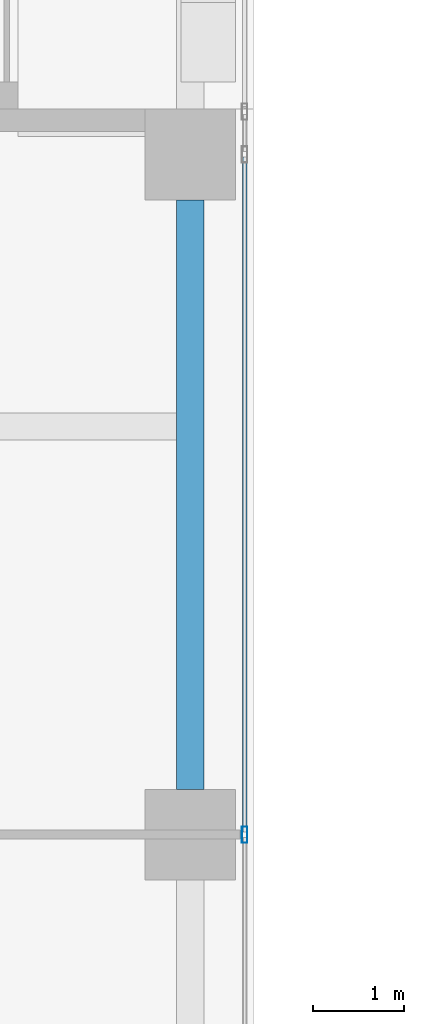
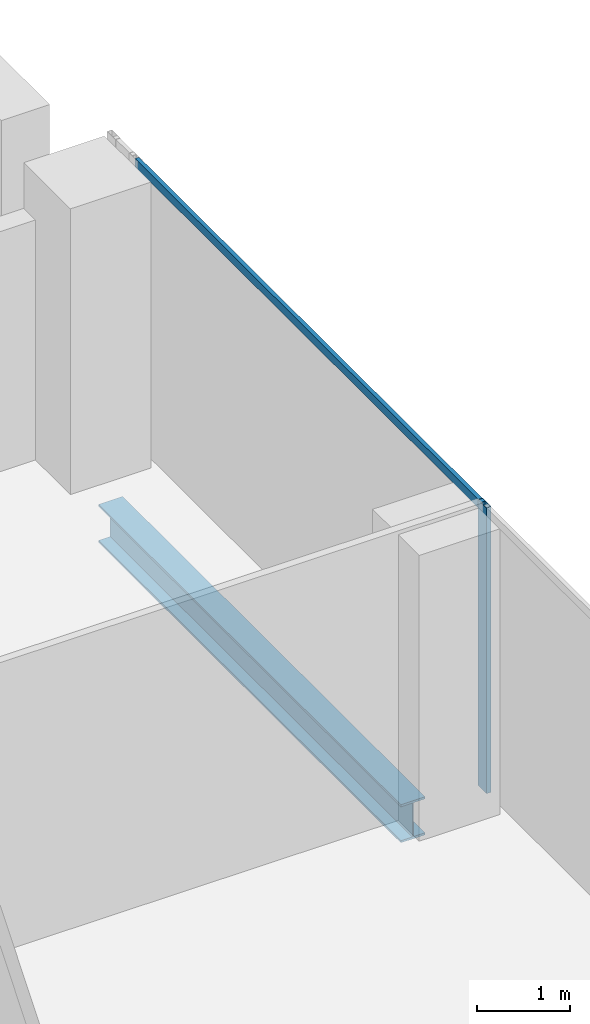
# One storey, part 16 of 40: 2 members, 1 beam, 1 element without a shape of its own.
"""IFC4 building model written with IfcOpenShell, lengths in metres."""

from ifc_helpers import new_model, si_unit, direction, frame, origin, origin_2d, place, context, subcontext, project, spatial, hollow_rectangle, i_section, extrude, source, transform, mapped, material, material_profile, profile_set, type_object, element, aggregate, save


model = new_model("IFC4")

# Units and contexts
model_context = context("Model", 3, precision=1e-05, world=origin(), true_north=direction((0.0, 1.0)))
body_context = subcontext(model_context, "Body", "Model", "MODEL_VIEW")
ifc_project = project(units=[si_unit("LENGTHUNIT", "METRE"), si_unit("AREAUNIT", "SQUARE_METRE"), si_unit("VOLUMEUNIT", "CUBIC_METRE"), si_unit("PLANEANGLEUNIT", "RADIAN"), si_unit("MASSUNIT", "GRAM", prefix="KILO")], contexts=[model_context])

# Site, building, storey
site_placement = place(None, origin())
site = spatial("IfcSite", under=ifc_project, at=site_placement, CompositionType="ELEMENT")
building_placement = place(site_placement, origin())
building = spatial("IfcBuilding", under=site, at=building_placement, Name="Khomas Fold Tower", CompositionType="ELEMENT")
storey_placement = place(building_placement, frame((0.0, 0.0, 192.699951171875)))
storey = spatial("IfcBuildingStorey", under=building, at=storey_placement, Name="L42", CompositionType="ELEMENT", Elevation=192.699951171875)

# Beam
ifc_material_1 = material(Name="Steel S355", Category="steel")
ifc_material_profile_1 = material_profile(ifc_material_1, i_section(OverallWidth=0.300048828125, OverallDepth=0.5, WebThickness=0.014404296875, FlangeThickness=0.028076171875, at=origin_2d()), Name="HE 500 B")
ifc_profile_set_1 = profile_set([ifc_material_profile_1], Name="Steel S355")
beam_type = type_object("IfcBeamType", Name="HE 500 B spandrel SB3", PredefinedType="SPANDREL", material=ifc_profile_set_1)
shared_shape_1 = source(origin(), body_context, "Body", "SweptSolid", [
    extrude(i_section(OverallWidth=0.300048828125, OverallDepth=0.5, WebThickness=0.014404296875, FlangeThickness=0.028076171875, at=origin_2d()), origin(), (0.0, 0.0, 1.0), 6.5),
])
beam_placement = place(storey_placement, frame((50.300048828125, 27.5, -0.5), z_axis=(0.0, 1.0, 0.0), x_axis=(-1.0, 0.0, 0.0)))
element("IfcBeam", 1, at=beam_placement, inside=storey, type_object=beam_type, Name="SB3", PredefinedType="SPANDREL", context=body_context, shape_type="MappedRepresentation", body=[
    mapped(shared_shape_1, transform((0.0, 0.0, 0.0))),
])

# Curtain wall, members
ifc_material_2 = material(Name="Aluminium framed double glazing", Category="aluminium")
curtain_wall_type = type_object("IfcCurtainWallType", Name="SK-Unitised clear-glass wall, office floors CW2", PredefinedType="NOTDEFINED", material=ifc_material_2)
curtain_wall_placement = place(storey_placement, origin())
curtain_wall = element("IfcCurtainWall", 2, at=curtain_wall_placement, inside=storey, type_object=curtain_wall_type, Name="CW2 run L42 03-0", PredefinedType="NOTDEFINED")
ifc_material_3 = material(Name="Aluminium", Category="aluminium")
ifc_material_profile_2 = material_profile(ifc_material_3, hollow_rectangle(XDim=0.06005859375, YDim=0.179931640625, WallThickness=0.00390625, at=origin_2d()), Name="SK-Unitised clear-glass wall, office floors mullion CW2-M")
ifc_profile_set_2 = profile_set([ifc_material_profile_2], Name="Aluminium")
member_type_1 = type_object("IfcMemberType", Name="SK-Unitised clear-glass wall, office floors mullion CW2-M", PredefinedType="MULLION", material=ifc_profile_set_2)
shared_shape_2 = source(origin(), body_context, "Body", "SweptSolid", [
    extrude(hollow_rectangle(XDim=0.06005859375, YDim=0.179931640625, WallThickness=0.00390625, at=origin_2d()), origin(), (0.0, 0.0, 1.0), 3.75),
])
member_1_placement = place(storey_placement, frame((50.89990234375, 27.0, 0.0), z_axis=(0.0, 0.0, 1.0), x_axis=(-1.0, 0.0, 0.0)))
member_1 = element("IfcMember", 3, at=member_1_placement, type_object=member_type_1, Name="CW2 mullion 5", PredefinedType="MULLION", context=body_context, shape_type="MappedRepresentation", body=[
    mapped(shared_shape_2, transform((0.0, 0.0, 0.0))),
])
ifc_material_4 = material(Name="Aluminium", Category="aluminium")
ifc_material_profile_3 = material_profile(ifc_material_4, hollow_rectangle(XDim=0.050048828125, YDim=0.110107421875, WallThickness=0.00390625, at=origin_2d()), Name="SK-Unitised clear-glass wall, office floors transom CW2-T")
ifc_profile_set_3 = profile_set([ifc_material_profile_3], Name="Aluminium")
member_type_2 = type_object("IfcMemberType", Name="SK-Unitised clear-glass wall, office floors transom CW2-T", PredefinedType="USERDEFINED", material=ifc_profile_set_3)
shared_shape_3 = source(origin(), body_context, "Body", "SweptSolid", [
    extrude(hollow_rectangle(XDim=0.050048828125, YDim=0.110107421875, WallThickness=0.00390625, at=origin_2d()), origin(), (0.0, 0.0, 1.0), 7.43994140625),
])
member_2_placement = place(storey_placement, frame((50.89990234375, 27.030029296875, 3.695068359375), z_axis=(0.0, 1.0, 0.0), x_axis=(-1.0, 0.0, 0.0)))
member_2 = element("IfcMember", 4, at=member_2_placement, type_object=member_type_2, Name="CW2 transom 5", ObjectType="TRANSOM", PredefinedType="USERDEFINED", context=body_context, shape_type="MappedRepresentation", body=[
    mapped(shared_shape_3, transform((0.0, 0.0, 0.0))),
])
aggregate(curtain_wall, [member_1, member_2])

save(model, "model.ifc")
